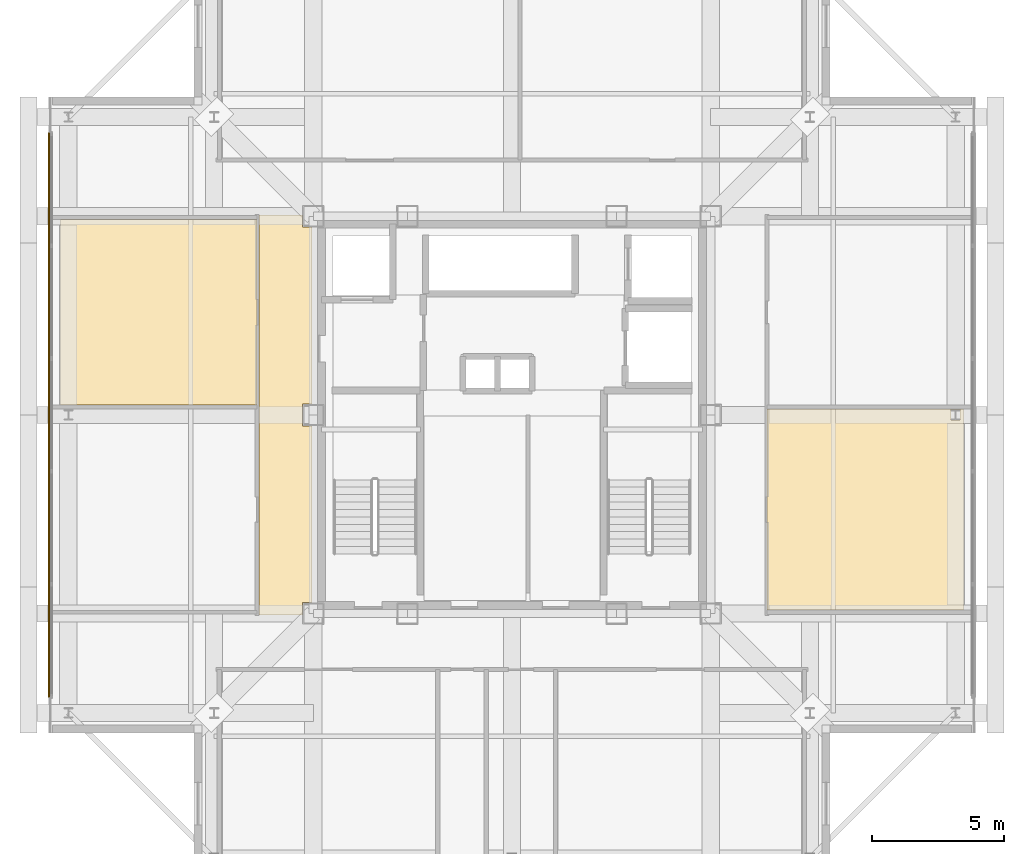
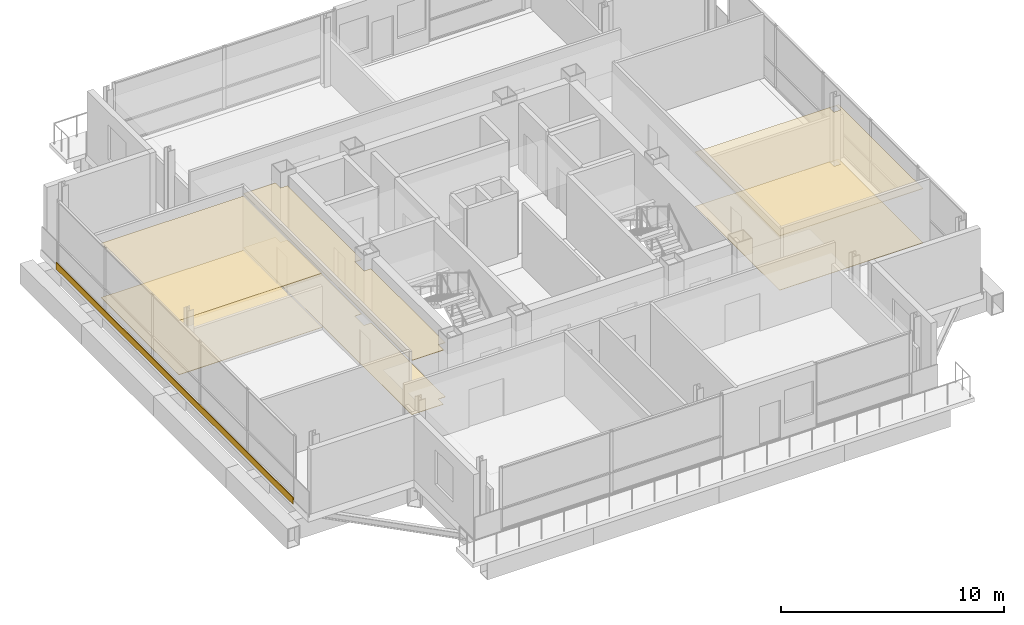
# One storey, part 13 of 15: 7 coverings.
"""IFC4 building model written with IfcOpenShell, lengths in metres."""

from ifc_helpers import new_model, si_unit, direction, frame, frame_2d, origin, place, context, subcontext, project, spatial, polyline, rectangle, outline, extrude, material, layer, layer_set, type_object, element, save


model = new_model("IFC4")

# Units and contexts
model_context = context("Model", 3, precision=1e-05, world=origin(), true_north=direction((0.0, 1.0)))
body_context = subcontext(model_context, "Body", "Model", "MODEL_VIEW")
ifc_project = project(units=[si_unit("LENGTHUNIT", "METRE"), si_unit("AREAUNIT", "SQUARE_METRE"), si_unit("VOLUMEUNIT", "CUBIC_METRE"), si_unit("PLANEANGLEUNIT", "RADIAN"), si_unit("MASSUNIT", "GRAM", prefix="KILO")], contexts=[model_context])

# Site, building, storey
site_placement = place(None, origin())
site = spatial("IfcSite", under=ifc_project, at=site_placement, CompositionType="ELEMENT")
building_placement = place(site_placement, origin())
building = spatial("IfcBuilding", under=site, at=building_placement, Name="Trevonay Congress Spire", CompositionType="ELEMENT")
storey_placement = place(building_placement, frame((0.0, 0.0, 300.800048828125)))
storey = spatial("IfcBuildingStorey", under=building, at=storey_placement, Name="L79", CompositionType="ELEMENT", Elevation=300.800048828125)

# Coverings
ifc_material_1 = material(Name="Acoustic Mineral Fibre Board", Category="gypsum")
ifc_layer_1 = layer(ifc_material_1, 0.02490234375, Name="Acoustic Mineral Fibre Board")
ifc_layer_set_1 = layer_set([ifc_layer_1], Name="Acoustic Mineral Fibre Board")
covering_type_1 = type_object("IfcCoveringType", Name="COV-CEIL-ACOUSTIC", PredefinedType="CEILING", material=ifc_layer_set_1)
covering_1_placement = place(storey_placement, frame((0.0, 0.0, 2.969970703125)))
element("IfcCovering", 1, at=covering_1_placement, inside=storey, type_object=covering_type_1, Name="L79 Crown Gallery Corridor West acoustic suspended ceiling", PredefinedType="CEILING", context=body_context, shape_type="SweptSolid", body=[
    extrude(outline(polyline([(-9.550048828125, 7.550048828125), (-7.909912109375, 7.550048828125), (-7.909912109375, 7.090087890625), (-7.550048828125, 7.090087890625), (-7.550048828125, 0.409912109375), (-7.909912109375, 0.409912109375), (-7.909912109375, -0.409912109375), (-7.550048828125, -0.409912109375), (-7.550048828125, -7.090087890625), (-7.909912109375, -7.090087890625), (-7.909912109375, -7.550048828125), (-9.550048828125, -7.550048828125), (-9.550048828125, 7.550048828125)])), origin(), (0.0, 0.0, 1.0), 0.02490234375),
])
covering_2_placement = place(storey_placement, frame((0.0, 0.0, 2.969970703125)))
element("IfcCovering", 2, at=covering_2_placement, inside=storey, type_object=covering_type_1, Name="L79 Catering Finishing Kitchen acoustic suspended ceiling", PredefinedType="CEILING", context=body_context, shape_type="SweptSolid", body=[
    extrude(outline(polyline([(-17.050048828125, 0.3798828125), (-9.6201171875, 0.3798828125), (-9.6201171875, 7.3701171875), (-17.050048828125, 7.3701171875), (-17.050048828125, 0.3798828125)])), origin(), (0.0, 0.0, 1.0), 0.02490234375),
])
covering_3_placement = place(storey_placement, frame((0.0, 0.0, 2.969970703125)))
element("IfcCovering", 3, at=covering_3_placement, inside=storey, type_object=covering_type_1, Name="L79 Private Observatory Dining Room acoustic suspended ceiling", PredefinedType="CEILING", context=body_context, shape_type="SweptSolid", body=[
    extrude(outline(polyline([(9.6201171875, 0.219970703125), (17.050048828125, 0.219970703125), (17.050048828125, -7.3701171875), (9.6201171875, -7.3701171875), (9.6201171875, 0.219970703125)]), holes=[polyline([(16.9208984375, -0.196044921875), (16.9208984375, 0.196044921875), (16.5791015625, 0.196044921875), (16.5791015625, -0.196044921875), (16.9208984375, -0.196044921875)])]), origin(), (0.0, 0.0, 1.0), 0.02490234375),
])
ifc_material_2 = material(Name="Polished Granite Floor Tile", Category="masonry")
ifc_layer_2 = layer(ifc_material_2, 0.02001953125, Name="Polished Granite Floor Tile")
ifc_layer_set_2 = layer_set([ifc_layer_2], Name="Polished Granite Floor Tile")
covering_type_2 = type_object("IfcCoveringType", Name="COV-FLOOR-STONE", PredefinedType="FLOORING", material=ifc_layer_set_2)
covering_4_placement = place(storey_placement, origin())
element("IfcCovering", 4, at=covering_4_placement, inside=storey, type_object=covering_type_2, Name="L79 Crown Gallery Corridor West floor finish", PredefinedType="FLOORING", context=body_context, shape_type="SweptSolid", body=[
    extrude(outline(polyline([(-9.550048828125, 7.550048828125), (-7.909912109375, 7.550048828125), (-7.909912109375, 7.090087890625), (-7.550048828125, 7.090087890625), (-7.550048828125, 0.409912109375), (-7.909912109375, 0.409912109375), (-7.909912109375, -0.409912109375), (-7.550048828125, -0.409912109375), (-7.550048828125, -7.090087890625), (-7.909912109375, -7.090087890625), (-7.909912109375, -7.550048828125), (-9.550048828125, -7.550048828125), (-9.550048828125, 7.550048828125)])), origin(), (0.0, 0.0, 1.0), 0.02001953125),
])
covering_5_placement = place(storey_placement, origin())
element("IfcCovering", 5, at=covering_5_placement, inside=storey, type_object=covering_type_2, Name="L79 Catering Finishing Kitchen floor finish", PredefinedType="FLOORING", context=body_context, shape_type="SweptSolid", body=[
    extrude(outline(polyline([(-17.050048828125, 0.3798828125), (-9.6201171875, 0.3798828125), (-9.6201171875, 7.3701171875), (-17.050048828125, 7.3701171875), (-17.050048828125, 0.3798828125)])), origin(), (0.0, 0.0, 1.0), 0.02001953125),
])
covering_6_placement = place(storey_placement, origin())
element("IfcCovering", 6, at=covering_6_placement, inside=storey, type_object=covering_type_2, Name="L79 Private Observatory Dining Room floor finish", PredefinedType="FLOORING", context=body_context, shape_type="SweptSolid", body=[
    extrude(outline(polyline([(9.6201171875, 0.219970703125), (17.050048828125, 0.219970703125), (17.050048828125, -7.3701171875), (9.6201171875, -7.3701171875), (9.6201171875, 0.219970703125)]), holes=[polyline([(16.9208984375, -0.196044921875), (16.9208984375, 0.196044921875), (16.5791015625, 0.196044921875), (16.5791015625, -0.196044921875), (16.9208984375, -0.196044921875)])]), origin(), (0.0, 0.0, 1.0), 0.02001953125),
])
ifc_material_3 = material(Name="Pale Anodised Aluminium EN AW-6063-T6", Category="aluminium")
ifc_layer_3 = layer(ifc_material_3, 0.0400390625, Name="Pale Anodised Aluminium EN AW-6063-T6")
ifc_layer_set_3 = layer_set([ifc_layer_3], Name="Pale Anodised Aluminium EN AW-6063-T6")
covering_type_3 = type_object("IfcCoveringType", Name="COV-SPANDREL-PALE-METAL", PredefinedType="CLADDING", material=ifc_layer_set_3)
covering_7_placement = place(storey_placement, frame((-17.47998046875, -10.64990234375, -0.239990234375), z_axis=(0.0, 0.0, 1.0), x_axis=(0.0, 1.0, 0.0)))
element("IfcCovering", 7, at=covering_7_placement, inside=storey, type_object=covering_type_3, Name="L79 W pale-metal slab-edge spandrel cladding", PredefinedType="CLADDING", context=body_context, shape_type="SweptSolid", body=[
    extrude(rectangle(XDim=21.2998046875, YDim=0.0400390625, at=frame_2d((10.64990234375, 0.0))), origin(), (0.0, 0.0, 1.0), 0.35986328125),
])

save(model, "model.ifc")
